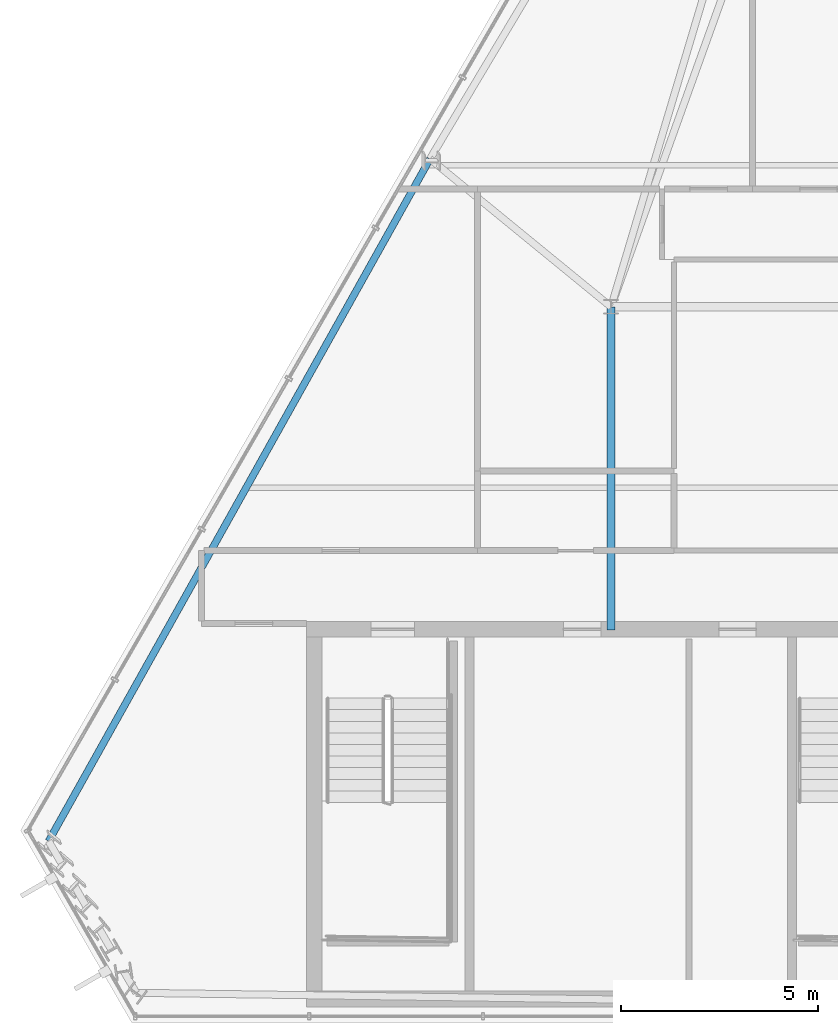
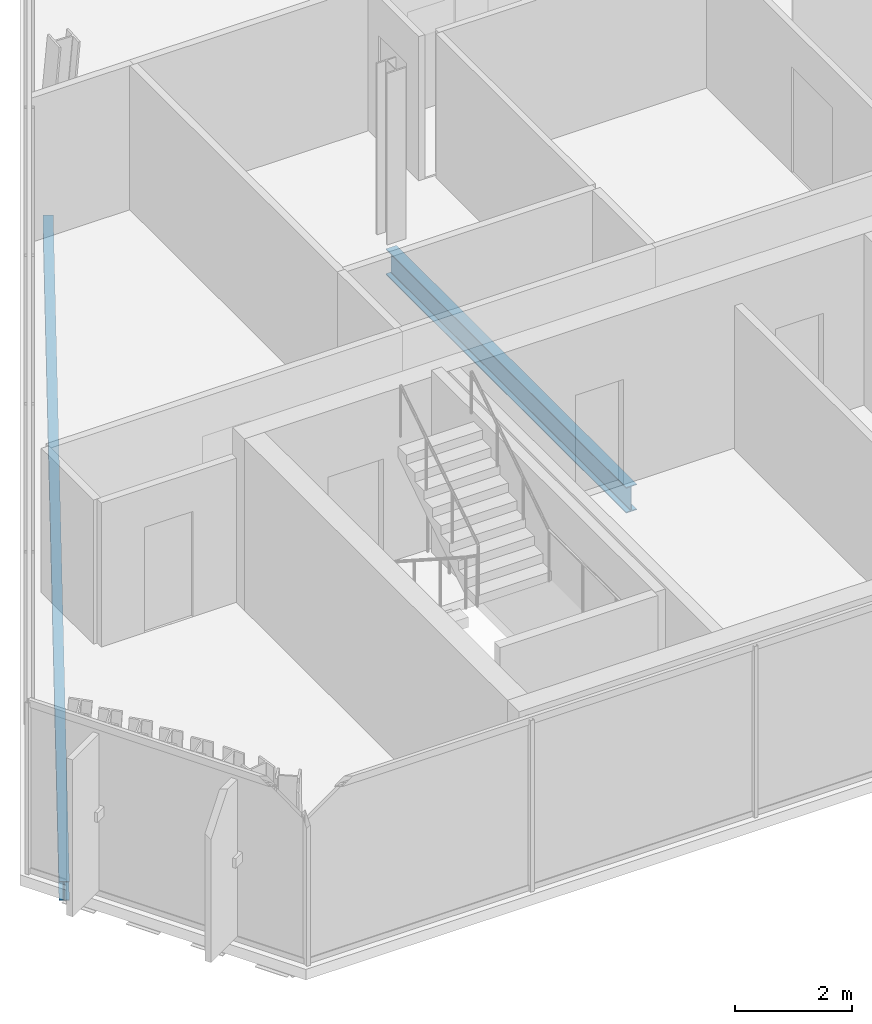
# One storey, part 7 of 34: 2 beams.
"""IFC4 building model written with IfcOpenShell, lengths in metres."""

from ifc_helpers import new_model, si_unit, direction, frame, origin, origin_2d, place, context, subcontext, project, spatial, i_section, extrude, material, material_profile, profile_set, type_object, element, save


model = new_model("IFC4")

# Units and contexts
model_context = context("Model", 3, precision=1e-05, world=origin(), true_north=direction((0.0, 1.0)))
body_context = subcontext(model_context, "Body", "Model", "MODEL_VIEW")
ifc_project = project(units=[si_unit("LENGTHUNIT", "METRE"), si_unit("AREAUNIT", "SQUARE_METRE"), si_unit("VOLUMEUNIT", "CUBIC_METRE"), si_unit("PLANEANGLEUNIT", "RADIAN"), si_unit("MASSUNIT", "GRAM", prefix="KILO")], contexts=[model_context])

# Site, building, storey
site_placement = place(None, origin())
site = spatial("IfcSite", under=ifc_project, at=site_placement, CompositionType="ELEMENT")
building_placement = place(site_placement, origin())
building = spatial("IfcBuilding", under=site, at=building_placement, Name="Ndaravel Arena Tower", CompositionType="ELEMENT")
storey_placement = place(building_placement, frame((0.0, 0.0, 267.39990234375)))
storey = spatial("IfcBuildingStorey", under=building, at=storey_placement, Name="L65", CompositionType="ELEMENT", Elevation=267.39990234375)

# Beams
ifc_material_1 = material(Name="Steel S355", Category="steel")
ifc_material_profile_1 = material_profile(ifc_material_1, i_section(OverallWidth=0.210693359375, OverallDepth=0.53955078125, WebThickness=0.01171875, FlangeThickness=0.018798828125, FilletRadius=0.0126953125, at=origin_2d()), Name="UB 533x210x109")
ifc_profile_set_1 = profile_set([ifc_material_profile_1], Name="Steel S355")
beam_type_1 = type_object("IfcBeamType", Name="BM-GIRD-UB533", PredefinedType="BEAM", material=ifc_profile_set_1)
beam_1_placement = place(storey_placement, frame((34.199951171875, 14.97998046875, -0.489501953125), z_axis=(0.0, 1.0, 0.0), x_axis=(-1.0, 0.0, 0.0)))
element("IfcBeam", 1, at=beam_1_placement, inside=storey, type_object=beam_type_1, Name="L65 Spine Link Girder SLG-01", PredefinedType="BEAM", context=body_context, shape_type="SweptSolid", body=[
    extrude(i_section(OverallWidth=0.210693359375, OverallDepth=0.53955078125, WebThickness=0.01171875, FlangeThickness=0.018798828125, FilletRadius=0.0126953125, at=origin_2d()), origin(), (0.0, 0.0, 1.0), 8.219970703125),
])
ifc_material_2 = material(Name="Steel S355", Category="steel")
ifc_material_profile_2 = material_profile(ifc_material_2, i_section(OverallWidth=0.179931640625, OverallDepth=0.39990234375, WebThickness=0.008544921875, FlangeThickness=0.013427734375, FilletRadius=0.02099609375, at=origin_2d()), Name="IPE 400")
ifc_profile_set_2 = profile_set([ifc_material_profile_2], Name="Steel S355")
beam_type_2 = type_object("IfcBeamType", Name="BM-SPAN-IPE400", PredefinedType="SPANDREL", material=ifc_profile_set_2)
beam_2_placement = place(storey_placement, frame((29.596435546875, 26.963623046875, -0.419921875), z_axis=(-0.48794385324, -0.872875017449, 0.0), x_axis=(0.872875017449, -0.48794385324, 0.0)))
element("IfcBeam", 2, at=beam_2_placement, inside=storey, type_object=beam_type_2, Name="L65 Perimeter Spandrel Beam SP-19", PredefinedType="SPANDREL", context=body_context, shape_type="SweptSolid", body=[
    extrude(i_section(OverallWidth=0.179931640625, OverallDepth=0.39990234375, WebThickness=0.008544921875, FlangeThickness=0.013427734375, FilletRadius=0.02099609375, at=origin_2d()), origin(), (0.0, 0.0, 1.0), 19.877197265625),
])

save(model, "model.ifc")
